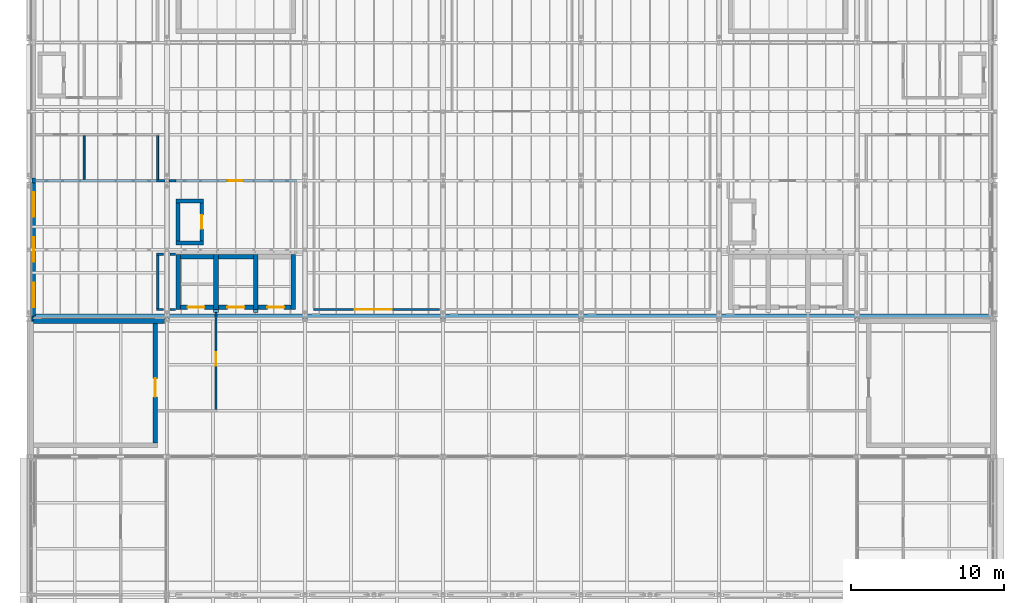
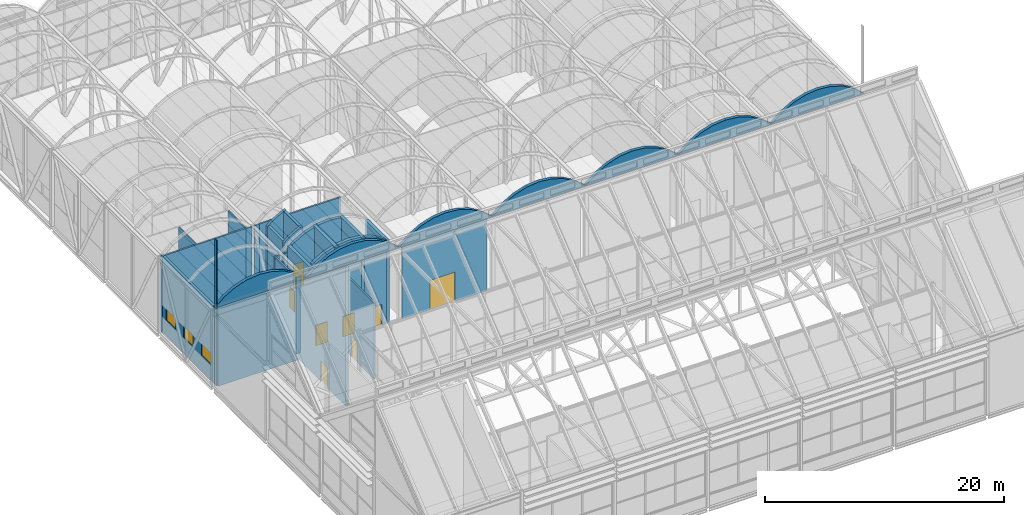
# One storey, part 128 of 144: 34 walls, 8 doors, 3 windows, 11 openings.
"""IFC4 building model written with IfcOpenShell, lengths in metres."""

from ifc_helpers import new_model, si_unit, direction, frame, frame_2d, origin, place, context, subcontext, project, spatial, polyline, rectangle, outline, extrude, material, layer, layer_set, type_object, element, fill, save


model = new_model("IFC4")

# Units and contexts
model_context = context("Model", 3, precision=1e-05, world=origin(), true_north=direction((0.0, 1.0)))
body_context = subcontext(model_context, "Body", "Model", "MODEL_VIEW")
ifc_project = project(units=[si_unit("LENGTHUNIT", "METRE"), si_unit("AREAUNIT", "SQUARE_METRE"), si_unit("VOLUMEUNIT", "CUBIC_METRE"), si_unit("PLANEANGLEUNIT", "RADIAN"), si_unit("MASSUNIT", "GRAM", prefix="KILO")], contexts=[model_context])

# Site, building, storey
site_placement = place(None, origin())
site = spatial("IfcSite", under=ifc_project, at=site_placement, CompositionType="ELEMENT")
building_placement = place(site_placement, origin())
building = spatial("IfcBuilding", under=site, at=building_placement, Name="Shorebreak Coast Museum", CompositionType="ELEMENT")
storey_placement = place(building_placement, frame((0.0, 0.0, 36.0)))
storey = spatial("IfcBuildingStorey", under=building, at=storey_placement, Name="L06", CompositionType="ELEMENT", Elevation=36.0)

# Walls
ifc_material_1 = material(Name="Concrete N50 (50 MPa)", Category="concrete")
ifc_layer_1 = layer(ifc_material_1, 0.1064453125)
ifc_layer_set_1 = layer_set([ifc_layer_1], Name="Concrete N50 (50 MPa)")
wall_type_1 = type_object("IfcWallType", Name="Column closure panel 106", PredefinedType="SOLIDWALL", material=ifc_layer_set_1)
wall_1_placement = place(storey_placement, frame((54.246826171875, 89.83642578125, 0.0), z_axis=(0.0, 0.0, 1.0), x_axis=(0.0, 1.0, 0.0)))
element("IfcWall", 1, at=wall_1_placement, inside=storey, type_object=wall_type_1, Name="Column closure panel L06 W 7L", PredefinedType="SOLIDWALL", context=body_context, shape_type="SweptSolid", body=[
    extrude(rectangle(XDim=0.3271484375, YDim=0.1064453125, at=frame_2d((0.16357421875, 0.0))), origin(), (0.0, 0.0, 1.0), 14.843994140625),
])
ifc_material_2 = material(Name="Concrete N50 (50 MPa)", Category="concrete")
ifc_layer_2 = layer(ifc_material_2, 0.25)
ifc_layer_set_2 = layer_set([ifc_layer_2], Name="Concrete N50 (50 MPa)")
wall_type_2 = type_object("IfcWallType", Name="Column closure panel 250", PredefinedType="SOLIDWALL", material=ifc_layer_set_2)
wall_2_placement = place(storey_placement, frame((54.318603515625, 98.839111328125, 0.0), z_axis=(0.0, 0.0, 1.0), x_axis=(0.0, 1.0, 0.0)))
element("IfcWall", 2, at=wall_2_placement, inside=storey, type_object=wall_type_2, Name="Column closure panel L06 W 7M", PredefinedType="SOLIDWALL", context=body_context, shape_type="SweptSolid", body=[
    extrude(rectangle(XDim=0.32177734375, YDim=0.25, at=frame_2d((0.160888671875, 0.0))), origin(), (0.0, 0.0, 1.0), 7.800048828125),
])
ifc_material_3 = material(Name="Plasterboard on steel stud", Category="steel")
ifc_layer_3 = layer(ifc_material_3, 0.14990234375)
ifc_layer_set_3 = layer_set([ifc_layer_3], Name="Plasterboard on steel stud")
wall_type_3 = type_object("IfcWallType", Name="Fire partition 150", PredefinedType="PARTITIONING", material=ifc_layer_set_3)
wall_3_placement = place(storey_placement, frame((62.324951171875, 90.60009765625, 0.0), z_axis=(0.0, 0.0, 1.0), x_axis=(1.0, 0.0, 0.0)))
element("IfcWall", 3, at=wall_3_placement, inside=storey, type_object=wall_type_3, Name="Partition L06-006", PredefinedType="PARTITIONING", context=body_context, shape_type="SweptSolid", body=[
    extrude(rectangle(XDim=0.455078125, YDim=0.14990234375, at=frame_2d((0.2275390625, 0.0))), origin(), (0.0, 0.0, 1.0), 7.73095703125),
])
wall_4_placement = place(storey_placement, frame((63.219970703125, 90.60009765625, 0.0), z_axis=(0.0, 0.0, 1.0), x_axis=(1.0, 0.0, 0.0)))
element("IfcWall", 4, at=wall_4_placement, inside=storey, type_object=wall_type_3, Name="Partition L06-007", PredefinedType="PARTITIONING", context=body_context, shape_type="SweptSolid", body=[
    extrude(rectangle(XDim=0.330078125, YDim=0.14990234375, at=frame_2d((0.1650390625, 0.0))), origin(), (0.0, 0.0, 1.0), 7.73095703125),
])

# Wall, opening, door
wall_5_placement = place(storey_placement, frame((72.550048828125, 90.60009765625, 0.0), z_axis=(0.0, 0.0, 1.0), x_axis=(1.0, 0.0, 0.0)))
wall_5 = element("IfcWall", 5, at=wall_5_placement, inside=storey, type_object=wall_type_3, Name="Partition L06-008", PredefinedType="PARTITIONING", context=body_context, shape_type="SweptSolid", body=[
    extrude(rectangle(XDim=8.22998046875, YDim=0.14990234375, at=frame_2d((4.114990234375, 0.0))), origin(), (0.0, 0.0, 1.0), 7.73095703125),
])
opening_1_placement = place(wall_5_placement, frame((2.699951171875, 0.0, 0.0)))
opening_1 = element("IfcOpeningElement", 6, at=opening_1_placement, cuts=wall_5, Name="Opening D6021", PredefinedType="OPENING", context=body_context, shape_type="SweptSolid", body=[
    extrude(rectangle(XDim=2.39990234375, YDim=3.0, at=frame_2d((1.199951171875, 1.5))), frame((0.0, 0.0849609375, 0.0), z_axis=(0.0, -1.0, 0.0), x_axis=(1.0, 0.0, 0.0)), (0.0, 0.0, 1.0), 0.169921875),
])
ifc_material_4 = material(Name="Steel", Category="steel")
door_type_1 = type_object("IfcDoorType", Name="Fire door 2400x3000 60", OperationType="DOUBLE_DOOR_SINGLE_SWING", PredefinedType="DOOR", material=ifc_material_4)
door_1_placement = place(opening_1_placement, origin())
door_1 = element("IfcDoor", 7, at=door_1_placement, inside=storey, type_object=door_type_1, Name="Door D6021 Top-lit Gallery 6.02", OperationType="DOUBLE_DOOR_SINGLE_SWING", OverallHeight=3.0, OverallWidth=2.39990234375, PredefinedType="DOOR", context=body_context, shape_type="SweptSolid", body=[
    extrude(rectangle(XDim=2.39990234375, YDim=3.0, at=frame_2d((1.199951171875, 1.5))), frame((0.0, 0.02490234375, 0.0), z_axis=(0.0, -1.0, 0.0), x_axis=(1.0, 0.0, 0.0)), (0.0, 0.0, 1.0), 0.050048828125),
])
fill(opening_1, door_1)

# Walls
wall_6_placement = place(storey_placement, frame((62.324951171875, 94.199951171875, 0.0), z_axis=(0.0, 0.0, 1.0), x_axis=(1.0, 0.0, 0.0)))
element("IfcWall", 8, at=wall_6_placement, inside=storey, type_object=wall_type_3, Name="Partition L06-013", PredefinedType="PARTITIONING", context=body_context, shape_type="SweptSolid", body=[
    extrude(rectangle(XDim=0.455078125, YDim=0.14990234375, at=frame_2d((0.2275390625, 0.0))), origin(), (0.0, 0.0, 1.0), 7.73095703125),
])
wall_7_placement = place(storey_placement, frame((63.219970703125, 94.199951171875, 0.0), z_axis=(0.0, 0.0, 1.0), x_axis=(1.0, 0.0, 0.0)))
element("IfcWall", 9, at=wall_7_placement, inside=storey, type_object=wall_type_3, Name="Partition L06-014", PredefinedType="PARTITIONING", context=body_context, shape_type="SweptSolid", body=[
    extrude(rectangle(XDim=0.330078125, YDim=0.14990234375, at=frame_2d((0.1650390625, 0.0))), origin(), (0.0, 0.0, 1.0), 7.73095703125),
])
wall_8_placement = place(storey_placement, frame((54.468505859375, 99.0, 0.0), z_axis=(0.0, 0.0, 1.0), x_axis=(1.0, 0.0, 0.0)))
element("IfcWall", 10, at=wall_8_placement, inside=storey, type_object=wall_type_3, Name="Partition L06-017", PredefinedType="PARTITIONING", context=body_context, shape_type="SweptSolid", body=[
    extrude(rectangle(XDim=7.993896484375, YDim=0.14990234375, at=frame_2d((3.9970703125, 0.0))), origin(), (0.0, 0.0, 1.0), 7.73095703125),
])
wall_9_placement = place(storey_placement, frame((62.337890625, 99.0, 0.0), z_axis=(0.0, 0.0, 1.0), x_axis=(1.0, 0.0, 0.0)))
element("IfcWall", 11, at=wall_9_placement, inside=storey, type_object=wall_type_3, Name="Partition L06-018", PredefinedType="PARTITIONING", context=body_context, shape_type="SweptSolid", body=[
    extrude(rectangle(XDim=0.53515625, YDim=0.14990234375, at=frame_2d((0.267578125, 0.0))), origin(), (0.0, 0.0, 1.0), 7.73095703125),
])
wall_10_placement = place(storey_placement, frame((63.126953125, 99.0, 0.0), z_axis=(0.0, 0.0, 1.0), x_axis=(1.0, 0.0, 0.0)))
element("IfcWall", 12, at=wall_10_placement, inside=storey, type_object=wall_type_3, Name="Partition L06-019", PredefinedType="PARTITIONING", context=body_context, shape_type="SweptSolid", body=[
    extrude(rectangle(XDim=0.47265625, YDim=0.14990234375, at=frame_2d((0.236328125, 0.0))), origin(), (0.0, 0.0, 1.0), 7.73095703125),
])

# Wall, opening, door
wall_11_placement = place(storey_placement, frame((63.60009765625, 99.0, 0.0), z_axis=(0.0, 0.0, 1.0), x_axis=(1.0, 0.0, 0.0)))
wall_11 = element("IfcWall", 13, at=wall_11_placement, inside=storey, type_object=wall_type_3, Name="Partition L06-020", PredefinedType="PARTITIONING", context=body_context, shape_type="SweptSolid", body=[
    extrude(rectangle(XDim=7.875, YDim=0.14990234375, at=frame_2d((3.9375, 0.0))), origin(), (0.0, 0.0, 1.0), 7.73095703125),
])
opening_2_placement = place(wall_11_placement, frame((3.35009765625, 0.0, 0.0)))
opening_2 = element("IfcOpeningElement", 14, at=opening_2_placement, cuts=wall_11, Name="Opening D6008", PredefinedType="OPENING", context=body_context, shape_type="SweptSolid", body=[
    extrude(rectangle(XDim=1.0, YDim=2.39990234375, at=frame_2d((0.5, 1.199951171875))), frame((0.0, 0.0849609375, 0.0), z_axis=(0.0, -1.0, 0.0), x_axis=(1.0, 0.0, 0.0)), (0.0, 0.0, 1.0), 0.169921875),
])
ifc_material_5 = material(Name="Steel", Category="steel")
door_type_2 = type_object("IfcDoorType", Name="Fire door 1000x2400 60", OperationType="SINGLE_SWING_LEFT", PredefinedType="DOOR", material=ifc_material_5)
door_2_placement = place(opening_2_placement, origin())
door_2 = element("IfcDoor", 15, at=door_2_placement, inside=storey, type_object=door_type_2, Name="Door D6008 Lift Services Room W", OperationType="SINGLE_SWING_RIGHT", OverallHeight=2.39990234375, OverallWidth=1.0, PredefinedType="DOOR", context=body_context, shape_type="SweptSolid", body=[
    extrude(rectangle(XDim=1.0, YDim=2.39990234375, at=frame_2d((0.5, 1.199951171875))), frame((0.0, 0.02490234375, 0.0), z_axis=(0.0, -1.0, 0.0), x_axis=(1.0, 0.0, 0.0)), (0.0, 0.0, 1.0), 0.050048828125),
])
fill(opening_2, door_2)

# Wall
wall_12_placement = place(storey_placement, frame((62.39990234375, 90.675048828125, 0.0), z_axis=(0.0, 0.0, 1.0), x_axis=(0.0, 1.0, 0.0)))
element("IfcWall", 16, at=wall_12_placement, inside=storey, type_object=wall_type_3, Name="Partition L06-060", PredefinedType="PARTITIONING", context=body_context, shape_type="SweptSolid", body=[
    extrude(rectangle(XDim=3.449951171875, YDim=0.14990234375, at=frame_2d((1.72509765625, 0.0))), origin(), (0.0, 0.0, 1.0), 7.73095703125),
])

# Wall, opening, door
wall_13_placement = place(storey_placement, frame((66.199951171875, 84.074951171875, 0.0), z_axis=(0.0, 0.0, 1.0), x_axis=(0.0, 1.0, 0.0)))
wall_13 = element("IfcWall", 17, at=wall_13_placement, inside=storey, type_object=wall_type_3, Name="Partition L06-063", PredefinedType="PARTITIONING", context=body_context, shape_type="SweptSolid", body=[
    extrude(rectangle(XDim=6.525146484375, YDim=0.14990234375, at=frame_2d((3.2626953125, 0.0))), origin(), (0.0, 0.0, 1.0), 7.743896484375),
])
opening_3_placement = place(wall_13_placement, frame((2.85009765625, 0.0, 0.0)))
opening_3 = element("IfcOpeningElement", 18, at=opening_3_placement, cuts=wall_13, Name="Opening D6001", PredefinedType="OPENING", context=body_context, shape_type="SweptSolid", body=[
    extrude(rectangle(XDim=0.89990234375, YDim=2.10009765625, at=frame_2d((0.449951171875, 1.050048828125))), frame((0.0, 0.0849609375, 0.0), z_axis=(0.0, -1.0, 0.0), x_axis=(1.0, 0.0, 0.0)), (0.0, 0.0, 1.0), 0.169921875),
])
ifc_material_6 = material(Name="Steel", Category="steel")
door_type_3 = type_object("IfcDoorType", Name="Fire door 900x2100 60", OperationType="SINGLE_SWING_LEFT", PredefinedType="DOOR", material=ifc_material_6)
door_3_placement = place(opening_3_placement, origin())
door_3 = element("IfcDoor", 19, at=door_3_placement, inside=storey, type_object=door_type_3, Name="Door D6001 Firefighting Lift Lobby W", OperationType="SINGLE_SWING_LEFT", OverallHeight=2.10009765625, OverallWidth=0.89990234375, PredefinedType="DOOR", context=body_context, shape_type="SweptSolid", body=[
    extrude(rectangle(XDim=0.89990234375, YDim=2.10009765625, at=frame_2d((0.449951171875, 1.050048828125))), frame((0.0, 0.02490234375, 0.0), z_axis=(0.0, -1.0, 0.0), x_axis=(1.0, 0.0, 0.0)), (0.0, 0.0, 1.0), 0.050048828125),
])
fill(opening_3, door_3)

# Walls
ifc_material_7 = material(Name="Plasterboard on steel stud", Category="steel")
ifc_layer_4 = layer(ifc_material_7, 0.125)
ifc_layer_set_4 = layer_set([ifc_layer_4], Name="Plasterboard on steel stud")
wall_type_4 = type_object("IfcWallType", Name="Partition 125", PredefinedType="PARTITIONING", material=ifc_layer_set_4)
for number, where, z_axis, x_axis, name in (
    (20, (57.60009765625, 99.074951171875, 0.0), (0.0, 0.0, 1.0), (0.0, 1.0, 0.0), "Partition L06-053"),
    (21, (62.39990234375, 99.074951171875, 0.0), (0.0, 0.0, 1.0), (0.0, 1.0, 0.0), "Partition L06-061"),
):
    element("IfcWall", number, at=place(storey_placement, frame(where, z_axis=z_axis, x_axis=x_axis)), inside=storey, type_object=wall_type_4, Name=name, PredefinedType="PARTITIONING", context=body_context, shape_type="SweptSolid", body=[
        extrude(rectangle(XDim=2.862548828125, YDim=0.125, at=frame_2d((1.43115234375, 0.0))), origin(), (0.0, 0.0, 1.0), 7.73095703125),
    ])

# Wall, openings, windows
ifc_material_8 = material(Name="Concrete N50 (50 MPa)", Category="concrete")
ifc_layer_5 = layer(ifc_material_8, 0.25)
ifc_layer_set_5 = layer_set([ifc_layer_5], Name="Concrete N50 (50 MPa)")
wall_type_5 = type_object("IfcWallType", Name="Precast upper panel 250", PredefinedType="SOLIDWALL", material=ifc_layer_set_5)
wall_14_placement = place(storey_placement, frame((54.318603515625, 90.16357421875, 0.0), z_axis=(0.0, 0.0, 1.0), x_axis=(0.0, 1.0, 0.0)))
wall_14 = element("IfcWall", 22, at=wall_14_placement, inside=storey, type_object=wall_type_5, Name="External wall L06 W 7L", PredefinedType="SOLIDWALL", context=body_context, shape_type="SweptSolid", body=[
    extrude(rectangle(XDim=8.675537109375, YDim=0.25, at=frame_2d((4.337890625, 0.0))), origin(), (0.0, 0.0, 1.0), 7.800048828125),
])
opening_4_placement = place(wall_14_placement, frame((0.58642578125, 0.0, 1.60009765625)))
opening_4 = element("IfcOpeningElement", 23, at=opening_4_placement, cuts=wall_14, Name="Opening WN6003", PredefinedType="OPENING", context=body_context, shape_type="SweptSolid", body=[
    extrude(rectangle(XDim=1.60009765625, YDim=1.199951171875, at=frame_2d((0.800048828125, 0.60009765625))), frame((0.0, 0.135009765625, 0.0), z_axis=(0.0, -1.0, 0.0), x_axis=(1.0, 0.0, 0.0)), (0.0, 0.0, 1.0), 0.27001953125),
])
opening_5_placement = place(wall_14_placement, frame((3.540771484375, 0.0, 1.60009765625)))
opening_5 = element("IfcOpeningElement", 24, at=opening_5_placement, cuts=wall_14, Name="Opening WN6011", PredefinedType="OPENING", context=body_context, shape_type="SweptSolid", body=[
    extrude(rectangle(XDim=1.60009765625, YDim=1.199951171875, at=frame_2d((0.800048828125, 0.60009765625))), frame((0.0, 0.135009765625, 0.0), z_axis=(0.0, -1.0, 0.0), x_axis=(1.0, 0.0, 0.0)), (0.0, 0.0, 1.0), 0.27001953125),
])
opening_6_placement = place(wall_14_placement, frame((6.486328125, 0.0, 1.60009765625)))
opening_6 = element("IfcOpeningElement", 25, at=opening_6_placement, cuts=wall_14, Name="Opening WN6012", PredefinedType="OPENING", context=body_context, shape_type="SweptSolid", body=[
    extrude(rectangle(XDim=1.60009765625, YDim=1.199951171875, at=frame_2d((0.800048828125, 0.60009765625))), frame((0.0, 0.135009765625, 0.0), z_axis=(0.0, -1.0, 0.0), x_axis=(1.0, 0.0, 0.0)), (0.0, 0.0, 1.0), 0.27001953125),
])
ifc_material_9 = material(Name="Aluminium", Category="aluminium")
window_type = type_object("IfcWindowType", Name="Truss-bay window 1600 x 1200", PartitioningType="SINGLE_PANEL", PredefinedType="WINDOW", material=ifc_material_9)
window_1_placement = place(opening_4_placement, origin())
window_1 = element("IfcWindow", 26, at=window_1_placement, inside=storey, type_object=window_type, Name="Window WN6003", OverallHeight=1.199951171875, OverallWidth=1.60009765625, PartitioningType="SINGLE_PANEL", PredefinedType="WINDOW", context=body_context, shape_type="SweptSolid", body=[
    extrude(rectangle(XDim=1.60009765625, YDim=1.199951171875, at=frame_2d((0.800048828125, 0.60009765625))), frame((0.0, 0.030029296875, 0.0), z_axis=(0.0, -1.0, 0.0), x_axis=(1.0, 0.0, 0.0)), (0.0, 0.0, 1.0), 0.06005859375),
])
fill(opening_4, window_1)
window_2_placement = place(opening_5_placement, origin())
window_2 = element("IfcWindow", 27, at=window_2_placement, inside=storey, type_object=window_type, Name="Window WN6011", OverallHeight=1.199951171875, OverallWidth=1.60009765625, PartitioningType="SINGLE_PANEL", PredefinedType="WINDOW", context=body_context, shape_type="SweptSolid", body=[
    extrude(rectangle(XDim=1.60009765625, YDim=1.199951171875, at=frame_2d((0.800048828125, 0.60009765625))), frame((0.0, 0.030029296875, 0.0), z_axis=(0.0, -1.0, 0.0), x_axis=(1.0, 0.0, 0.0)), (0.0, 0.0, 1.0), 0.06005859375),
])
fill(opening_5, window_2)
window_3_placement = place(opening_6_placement, origin())
window_3 = element("IfcWindow", 28, at=window_3_placement, inside=storey, type_object=window_type, Name="Window WN6012", OverallHeight=1.199951171875, OverallWidth=1.60009765625, PartitioningType="SINGLE_PANEL", PredefinedType="WINDOW", context=body_context, shape_type="SweptSolid", body=[
    extrude(rectangle(XDim=1.60009765625, YDim=1.199951171875, at=frame_2d((0.800048828125, 0.60009765625))), frame((0.0, 0.030029296875, 0.0), z_axis=(0.0, -1.0, 0.0), x_axis=(1.0, 0.0, 0.0)), (0.0, 0.0, 1.0), 0.06005859375),
])
fill(opening_6, window_3)

# Walls
ifc_material_10 = material(Name="Concrete N50 (50 MPa)", Category="concrete")
ifc_layer_6 = layer(ifc_material_10, 0.25)
ifc_layer_set_6 = layer_set([ifc_layer_6], Name="Concrete N50 (50 MPa)")
wall_type_6 = type_object("IfcWallType", Name="RC riser wall 250", PredefinedType="STANDARD", material=ifc_layer_set_6)
for number, where, z_axis, x_axis, name in (
    (29, (63.60009765625, 94.925048828125, 0.0), (0.0, 0.0, 1.0), (1.0, 0.0, 0.0), "Riser wall R-LBW L06 S"),
    (30, (63.60009765625, 97.675048828125, 0.0), (0.0, 0.0, 1.0), (1.0, 0.0, 0.0), "Riser wall R-LBW L06 N"),
):
    element("IfcWall", number, at=place(storey_placement, frame(where, z_axis=z_axis, x_axis=x_axis)), inside=storey, type_object=wall_type_6, Name=name, PredefinedType="STANDARD", context=body_context, shape_type="SweptSolid", body=[
        extrude(outline(polyline([(0.0, 0.0), (1.7998046875, 0.0), (1.800048828125, 9.384765625), (1.54296875, 9.30126953125), (1.28564453125, 9.158935546875), (0.514404296875, 8.714599609375), (0.257080078125, 8.501220703125), (0.0, 8.27001953125), (0.0, 0.0)])), frame((0.0, 0.125, 0.0), z_axis=(0.0, -1.0, 0.0), x_axis=(1.0, 0.0, 0.0)), (0.0, 0.0, 1.0), 0.25),
    ])
wall_15_placement = place(storey_placement, frame((63.72509765625, 95.050048828125, 0.0), z_axis=(0.0, 0.0, 1.0), x_axis=(0.0, 1.0, 0.0)))
element("IfcWall", 31, at=wall_15_placement, inside=storey, type_object=wall_type_6, Name="Riser wall R-LBW L06 W", PredefinedType="STANDARD", context=body_context, shape_type="SweptSolid", body=[
    extrude(rectangle(XDim=2.5, YDim=0.25, at=frame_2d((1.25, 0.0))), origin(), (0.0, 0.0, 1.0), 8.38232421875),
])

# Wall, opening, door
wall_16_placement = place(storey_placement, frame((65.27490234375, 95.050048828125, 0.0), z_axis=(0.0, 0.0, 1.0), x_axis=(0.0, 1.0, 0.0)))
wall_16 = element("IfcWall", 32, at=wall_16_placement, inside=storey, type_object=wall_type_6, Name="Riser wall R-LBW L06 E", PredefinedType="STANDARD", context=body_context, shape_type="SweptSolid", body=[
    extrude(rectangle(XDim=2.5, YDim=0.25, at=frame_2d((1.25, 0.0))), origin(), (0.0, 0.0, 1.0), 9.34423828125),
])
opening_7_placement = place(wall_16_placement, frame((0.800048828125, 0.0, 0.0)))
opening_7 = element("IfcOpeningElement", 33, at=opening_7_placement, cuts=wall_16, Name="Opening D6606", PredefinedType="OPENING", context=body_context, shape_type="SweptSolid", body=[
    extrude(rectangle(XDim=0.89990234375, YDim=2.10009765625, at=frame_2d((0.449951171875, 1.050048828125))), frame((0.0, 0.135009765625, 0.0), z_axis=(0.0, -1.0, 0.0), x_axis=(1.0, 0.0, 0.0)), (0.0, 0.0, 1.0), 0.27001953125),
])
ifc_material_11 = material(Name="Steel Grade 300", Category="steel")
door_type_4 = type_object("IfcDoorType", Name="Riser door 900x2100", OperationType="SINGLE_SWING_LEFT", PredefinedType="DOOR", material=ifc_material_11)
door_4_placement = place(opening_7_placement, origin())
door_4 = element("IfcDoor", 34, at=door_4_placement, inside=storey, type_object=door_type_4, Name="Riser door R-LBW L06", OperationType="SINGLE_SWING_RIGHT", OverallHeight=2.10009765625, OverallWidth=0.89990234375, PredefinedType="DOOR", context=body_context, shape_type="SweptSolid", body=[
    extrude(rectangle(XDim=0.89990234375, YDim=2.10009765625, at=frame_2d((0.449951171875, 1.050048828125))), frame((0.0, 0.02490234375, 0.0), z_axis=(0.0, -1.0, 0.0), x_axis=(1.0, 0.0, 0.0)), (0.0, 0.0, 1.0), 0.050048828125),
])
fill(opening_7, door_4)

# Wall
ifc_material_12 = material(Name="Concrete N50 (50 MPa)", Category="concrete")
ifc_layer_7 = layer(ifc_material_12, 0.300048828125)
ifc_layer_set_7 = layer_set([ifc_layer_7], Name="Concrete N50 (50 MPa)")
wall_type_7 = type_object("IfcWallType", Name="RC wall 300", PredefinedType="SHEAR", material=ifc_layer_set_7)
wall_17_placement = place(storey_placement, frame((54.300048828125, 89.85009765625, 0.0), z_axis=(0.0, 0.0, 1.0), x_axis=(1.0, 0.0, 0.0)))
element("IfcWall", 35, at=wall_17_placement, inside=storey, type_object=wall_type_7, Name="Stair core wall ST03 L06 N", PredefinedType="SHEAR", context=body_context, shape_type="SweptSolid", body=[
    extrude(rectangle(XDim=8.54443359375, YDim=0.300048828125, at=frame_2d((4.272216796875, 0.0))), origin(), (0.0, 0.0, 1.0), 7.864013671875),
])

# Wall, opening, door
wall_18_placement = place(storey_placement, frame((62.25, 81.89990234375, 0.0), z_axis=(0.0, 0.0, 1.0), x_axis=(0.0, 1.0, 0.0)))
wall_18 = element("IfcWall", 36, at=wall_18_placement, inside=storey, type_object=wall_type_7, Name="Stair core wall ST03 L06 E", PredefinedType="SHEAR", context=body_context, shape_type="SweptSolid", body=[
    extrude(outline(polyline([(0.0, 0.0), (7.800048828125, 0.0), (7.800048828125, 7.98388671875), (0.0, 14.223876953125), (0.0, 0.0)])), frame((0.0, 0.14990234375, 0.0), z_axis=(0.0, -1.0, 0.0), x_axis=(1.0, 0.0, 0.0)), (0.0, 0.0, 1.0), 0.300048828125),
])
opening_8_placement = place(wall_18_placement, frame((3.0, 0.0, 0.0)))
opening_8 = element("IfcOpeningElement", 37, at=opening_8_placement, cuts=wall_18, Name="Opening D6803", PredefinedType="OPENING", context=body_context, shape_type="SweptSolid", body=[
    extrude(rectangle(XDim=1.199951171875, YDim=2.10009765625, at=frame_2d((0.60009765625, 1.050048828125))), frame((0.0, 0.159912109375, 0.0), z_axis=(0.0, -1.0, 0.0), x_axis=(1.0, 0.0, 0.0)), (0.0, 0.0, 1.0), 0.320068359375),
])
ifc_material_13 = material(Name="Steel Grade 300", Category="steel")
door_type_5 = type_object("IfcDoorType", Name="Fire door 1200x2100", OperationType="SINGLE_SWING_LEFT", PredefinedType="DOOR", material=ifc_material_13)
door_5_placement = place(opening_8_placement, origin())
door_5 = element("IfcDoor", 38, at=door_5_placement, inside=storey, type_object=door_type_5, Name="Stair door ST03 L06", OperationType="SINGLE_SWING_RIGHT", OverallHeight=2.10009765625, OverallWidth=1.199951171875, PredefinedType="DOOR", context=body_context, shape_type="SweptSolid", body=[
    extrude(rectangle(XDim=1.199951171875, YDim=2.10009765625, at=frame_2d((0.60009765625, 1.050048828125))), frame((0.0, 0.02490234375, 0.0), z_axis=(0.0, -1.0, 0.0), x_axis=(1.0, 0.0, 0.0)), (0.0, 0.0, 1.0), 0.050048828125),
])
fill(opening_8, door_5)

# Walls
wall_19_placement = place(storey_placement, frame((63.75, 90.60009765625, 0.0), z_axis=(0.0, 0.0, 1.0), x_axis=(0.0, 1.0, 0.0)))
element("IfcWall", 39, at=wall_19_placement, inside=storey, type_object=wall_type_7, Name="Lift shaft wall LBW L06 1", PredefinedType="SHEAR", context=body_context, shape_type="SweptSolid", body=[
    extrude(rectangle(XDim=3.599853515625, YDim=0.300048828125, at=frame_2d((1.7998046875, 0.0))), origin(), (0.0, 0.0, 1.0), 8.40478515625),
])
for number, where, z_axis, x_axis, name in (
    (40, (66.199951171875, 90.60009765625, 0.0), (0.0, 0.0, 1.0), (0.0, 1.0, 0.0), "Lift shaft wall LBW L06 2"),
    (41, (68.800048828125, 90.60009765625, 0.0), (0.0, 0.0, 1.0), (0.0, 1.0, 0.0), "Lift shaft wall LBW L06 3"),
):
    element("IfcWall", number, at=place(storey_placement, frame(where, z_axis=z_axis, x_axis=x_axis)), inside=storey, type_object=wall_type_7, Name=name, PredefinedType="SHEAR", context=body_context, shape_type="SweptSolid", body=[
        extrude(rectangle(XDim=3.599853515625, YDim=0.300048828125, at=frame_2d((1.7998046875, 0.0))), origin(), (0.0, 0.0, 1.0), 9.644287109375),
    ])
wall_20_placement = place(storey_placement, frame((71.25, 90.60009765625, 0.0), z_axis=(0.0, 0.0, 1.0), x_axis=(0.0, 1.0, 0.0)))
element("IfcWall", 42, at=wall_20_placement, inside=storey, type_object=wall_type_7, Name="Lift shaft wall LBW L06 4", PredefinedType="SHEAR", context=body_context, shape_type="SweptSolid", body=[
    extrude(rectangle(XDim=3.599853515625, YDim=0.300048828125, at=frame_2d((1.7998046875, 0.0))), origin(), (0.0, 0.0, 1.0), 8.40478515625),
])
for number, where, z_axis, x_axis, name in (
    (43, (66.199951171875, 90.60009765625, 7.800048828125), (0.0, 0.0, 1.0), (0.0, -1.0, 0.0), "Lift shaft overrun return LBW L06 2"),
    (44, (68.800048828125, 90.60009765625, 7.800048828125), (0.0, 0.0, 1.0), (0.0, -1.0, 0.0), "Lift shaft overrun return LBW L06 3"),
):
    element("IfcWall", number, at=place(storey_placement, frame(where, z_axis=z_axis, x_axis=x_axis)), inside=storey, type_object=wall_type_7, Name=name, PredefinedType="SHEAR", context=body_context, shape_type="SweptSolid", body=[
        extrude(rectangle(XDim=0.190185546875, YDim=0.300048828125, at=frame_2d((0.09521484375, 0.0))), origin(), (0.0, 0.0, 1.0), 1.84423828125),
    ])

# Wall, opening, door
wall_21_placement = place(storey_placement, frame((63.89990234375, 90.75, 0.0), z_axis=(0.0, 0.0, 1.0), x_axis=(1.0, 0.0, 0.0)))
wall_21 = element("IfcWall", 45, at=wall_21_placement, inside=storey, type_object=wall_type_7, Name="Lift shaft wall FL1 L06 F", PredefinedType="SHEAR", context=body_context, shape_type="SweptSolid", body=[
    extrude(outline(polyline([(0.0, 0.0), (2.150146484375, 0.0), (2.14990234375, 9.595703125), (1.34375, 9.333984375), (1.074951171875, 9.21044921875), (0.268798828125, 8.745849609375), (0.0, 8.53955078125), (0.0, 0.0)])), frame((0.0, 0.14990234375, 0.0), z_axis=(0.0, -1.0, 0.0), x_axis=(1.0, 0.0, 0.0)), (0.0, 0.0, 1.0), 0.300048828125),
])
opening_9_placement = place(wall_21_placement, frame((0.449951171875, 0.0, 0.0)))
opening_9 = element("IfcOpeningElement", 46, at=opening_9_placement, cuts=wall_21, Name="Opening LD6-FL1", PredefinedType="OPENING", context=body_context, shape_type="SweptSolid", body=[
    extrude(rectangle(XDim=1.10009765625, YDim=2.10009765625, at=frame_2d((0.550048828125, 1.050048828125))), frame((0.0, 0.159912109375, 0.0), z_axis=(0.0, -1.0, 0.0), x_axis=(1.0, 0.0, 0.0)), (0.0, 0.0, 1.0), 0.320068359375),
])
ifc_material_14 = material(Name="Steel Grade 300", Category="steel")
door_type_6 = type_object("IfcDoorType", Name="Landing door 1100x2100", OperationType="DOUBLE_DOOR_SLIDING", PredefinedType="DOOR", material=ifc_material_14)
door_6_placement = place(opening_9_placement, origin())
door_6 = element("IfcDoor", 47, at=door_6_placement, inside=storey, type_object=door_type_6, Name="Landing door FL1 L06", OperationType="DOUBLE_DOOR_SLIDING", OverallHeight=2.10009765625, OverallWidth=1.10009765625, PredefinedType="DOOR", context=body_context, shape_type="SweptSolid", body=[
    extrude(rectangle(XDim=1.10009765625, YDim=2.10009765625, at=frame_2d((0.550048828125, 1.050048828125))), frame((0.0, 0.02490234375, 0.0), z_axis=(0.0, -1.0, 0.0), x_axis=(1.0, 0.0, 0.0)), (0.0, 0.0, 1.0), 0.050048828125),
])
fill(opening_9, door_6)

# Wall
wall_22_placement = place(storey_placement, frame((63.89990234375, 94.050048828125, 0.0), z_axis=(0.0, 0.0, 1.0), x_axis=(1.0, 0.0, 0.0)))
element("IfcWall", 48, at=wall_22_placement, inside=storey, type_object=wall_type_7, Name="Lift shaft wall FL1 L06 B", PredefinedType="SHEAR", context=body_context, shape_type="SweptSolid", body=[
    extrude(outline(polyline([(0.0, 0.0), (2.150146484375, 0.0), (2.14990234375, 9.595703125), (1.34375, 9.333984375), (1.074951171875, 9.21044921875), (0.268798828125, 8.745849609375), (0.0, 8.53955078125), (0.0, 0.0)])), frame((0.0, 0.14990234375, 0.0), z_axis=(0.0, -1.0, 0.0), x_axis=(1.0, 0.0, 0.0)), (0.0, 0.0, 1.0), 0.300048828125),
])

# Wall, opening, door
wall_23_placement = place(storey_placement, frame((66.35009765625, 90.75, 0.0), z_axis=(0.0, 0.0, 1.0), x_axis=(1.0, 0.0, 0.0)))
wall_23 = element("IfcWall", 49, at=wall_23_placement, inside=storey, type_object=wall_type_7, Name="Lift shaft wall P1 L06 F", PredefinedType="SHEAR", context=body_context, shape_type="SweptSolid", body=[
    extrude(outline(polyline([(0.0, 0.0), (2.2998046875, 0.0), (2.300048828125, 9.67822265625), (1.27783203125, 9.785400390625), (1.022216796875, 9.785400390625), (0.0, 9.67822265625), (0.0, 0.0)])), frame((0.0, 0.14990234375, 0.0), z_axis=(0.0, -1.0, 0.0), x_axis=(1.0, 0.0, 0.0)), (0.0, 0.0, 1.0), 0.300048828125),
])
opening_10_placement = place(wall_23_placement, frame((0.60009765625, 0.0, 0.0)))
opening_10 = element("IfcOpeningElement", 50, at=opening_10_placement, cuts=wall_23, Name="Opening LD6-P1", PredefinedType="OPENING", context=body_context, shape_type="SweptSolid", body=[
    extrude(rectangle(XDim=1.10009765625, YDim=2.10009765625, at=frame_2d((0.550048828125, 1.050048828125))), frame((0.0, 0.159912109375, 0.0), z_axis=(0.0, -1.0, 0.0), x_axis=(1.0, 0.0, 0.0)), (0.0, 0.0, 1.0), 0.320068359375),
])
door_7_placement = place(opening_10_placement, origin())
door_7 = element("IfcDoor", 51, at=door_7_placement, inside=storey, type_object=door_type_6, Name="Landing door P1 L06", OperationType="DOUBLE_DOOR_SLIDING", OverallHeight=2.10009765625, OverallWidth=1.10009765625, PredefinedType="DOOR", context=body_context, shape_type="SweptSolid", body=[
    extrude(rectangle(XDim=1.10009765625, YDim=2.10009765625, at=frame_2d((0.550048828125, 1.050048828125))), frame((0.0, 0.02490234375, 0.0), z_axis=(0.0, -1.0, 0.0), x_axis=(1.0, 0.0, 0.0)), (0.0, 0.0, 1.0), 0.050048828125),
])
fill(opening_10, door_7)

# Wall
wall_24_placement = place(storey_placement, frame((66.35009765625, 94.050048828125, 0.0), z_axis=(0.0, 0.0, 1.0), x_axis=(1.0, 0.0, 0.0)))
element("IfcWall", 52, at=wall_24_placement, inside=storey, type_object=wall_type_7, Name="Lift shaft wall P1 L06 B", PredefinedType="SHEAR", context=body_context, shape_type="SweptSolid", body=[
    extrude(outline(polyline([(0.0, 0.0), (2.2998046875, 0.0), (2.300048828125, 9.67822265625), (1.27783203125, 9.785400390625), (1.022216796875, 9.785400390625), (0.0, 9.67822265625), (0.0, 0.0)])), frame((0.0, 0.14990234375, 0.0), z_axis=(0.0, -1.0, 0.0), x_axis=(1.0, 0.0, 0.0)), (0.0, 0.0, 1.0), 0.300048828125),
])

# Wall, opening, door
wall_25_placement = place(storey_placement, frame((68.949951171875, 90.75, 0.0), z_axis=(0.0, 0.0, 1.0), x_axis=(1.0, 0.0, 0.0)))
wall_25 = element("IfcWall", 53, at=wall_25_placement, inside=storey, type_object=wall_type_7, Name="Lift shaft wall P2 L06 F", PredefinedType="SHEAR", context=body_context, shape_type="SweptSolid", body=[
    extrude(outline(polyline([(0.0, 0.0), (2.150146484375, 0.0), (2.14990234375, 8.53955078125), (1.881103515625, 8.745849609375), (1.074951171875, 9.21044921875), (0.80615234375, 9.333984375), (0.0, 9.595703125), (0.0, 0.0)])), frame((0.0, 0.14990234375, 0.0), z_axis=(0.0, -1.0, 0.0), x_axis=(1.0, 0.0, 0.0)), (0.0, 0.0, 1.0), 0.300048828125),
])
opening_11_placement = place(wall_25_placement, frame((0.60009765625, 0.0, 0.0)))
opening_11 = element("IfcOpeningElement", 54, at=opening_11_placement, cuts=wall_25, Name="Opening LD6-P2", PredefinedType="OPENING", context=body_context, shape_type="SweptSolid", body=[
    extrude(rectangle(XDim=1.10009765625, YDim=2.10009765625, at=frame_2d((0.550048828125, 1.050048828125))), frame((0.0, 0.159912109375, 0.0), z_axis=(0.0, -1.0, 0.0), x_axis=(1.0, 0.0, 0.0)), (0.0, 0.0, 1.0), 0.320068359375),
])
door_8_placement = place(opening_11_placement, origin())
door_8 = element("IfcDoor", 55, at=door_8_placement, inside=storey, type_object=door_type_6, Name="Landing door P2 L06", OperationType="DOUBLE_DOOR_SLIDING", OverallHeight=2.10009765625, OverallWidth=1.10009765625, PredefinedType="DOOR", context=body_context, shape_type="SweptSolid", body=[
    extrude(rectangle(XDim=1.10009765625, YDim=2.10009765625, at=frame_2d((0.550048828125, 1.050048828125))), frame((0.0, 0.02490234375, 0.0), z_axis=(0.0, -1.0, 0.0), x_axis=(1.0, 0.0, 0.0)), (0.0, 0.0, 1.0), 0.050048828125),
])
fill(opening_11, door_8)

# Wall
ifc_material_15 = material(Name="Concrete N50 (50 MPa)", Category="concrete")
ifc_layer_8 = layer(ifc_material_15, 0.300048828125)
ifc_layer_set_8 = layer_set([ifc_layer_8], Name="Concrete N50 (50 MPa)")
wall_type_8 = type_object("IfcWallType", Name="Vault end panel 300", PredefinedType="SOLIDWALL", material=ifc_layer_set_8)
wall_26_placement = place(storey_placement, frame((54.155517578125, 90.14990234375, 7.800048828125), z_axis=(0.0, 0.0, 1.0), x_axis=(1.0, 0.0, 0.0)))
element("IfcWall", 56, at=wall_26_placement, inside=storey, type_object=wall_type_8, Name="Vault end wall south V1 to V7", PredefinedType="SOLIDWALL", context=body_context, shape_type="SweptSolid", body=[
    extrude(outline(polyline([(0.0, 0.0), (62.68896484375, 0.0), (62.68896484375, 0.07080078125), (61.78515625, 0.8828125), (60.72509765625, 1.49365234375), (59.561279296875, 1.87109375), (58.344482421875, 1.998779296875), (57.127685546875, 1.87109375), (55.964111328125, 1.49365234375), (54.90380859375, 0.8828125), (53.844482421875, 0.050048828125), (52.78515625, 0.8828125), (51.72509765625, 1.49365234375), (50.561279296875, 1.87109375), (49.344482421875, 1.998779296875), (48.127685546875, 1.87109375), (46.964111328125, 1.49365234375), (45.90380859375, 0.8828125), (44.844482421875, 0.050048828125), (43.78515625, 0.8828125), (42.72509765625, 1.49365234375), (41.561279296875, 1.87109375), (40.344482421875, 1.998779296875), (39.127685546875, 1.87109375), (37.964111328125, 1.49365234375), (36.90380859375, 0.8828125), (35.844482421875, 0.050048828125), (34.78515625, 0.8828125), (33.72509765625, 1.49365234375), (32.561279296875, 1.87109375), (31.344482421875, 1.998779296875), (30.127685546875, 1.87109375), (28.964111328125, 1.49365234375), (27.90380859375, 0.8828125), (26.844482421875, 0.050048828125), (25.78515625, 0.8828125), (24.72509765625, 1.49365234375), (23.561279296875, 1.87109375), (22.344482421875, 1.998779296875), (21.127685546875, 1.87109375), (19.964111328125, 1.49365234375), (18.90380859375, 0.8828125), (17.844482421875, 0.050048828125), (16.78515625, 0.8828125), (15.72509765625, 1.49365234375), (14.561279296875, 1.87109375), (13.344482421875, 1.998779296875), (12.127685546875, 1.87109375), (10.964111328125, 1.49365234375), (9.90380859375, 0.8828125), (8.844482421875, 0.050048828125), (7.78515625, 0.8828125), (6.72509765625, 1.49365234375), (5.561279296875, 1.87109375), (4.344482421875, 1.998779296875), (3.127685546875, 1.87109375), (1.964111328125, 1.49365234375), (0.90380859375, 0.8828125), (0.0, 0.07080078125), (0.0, 0.0)])), frame((0.0, 0.14990234375, 0.0), z_axis=(0.0, -1.0, 0.0), x_axis=(1.0, 0.0, 0.0)), (0.0, 0.0, 1.0), 0.300048828125),
])

save(model, "model.ifc")
